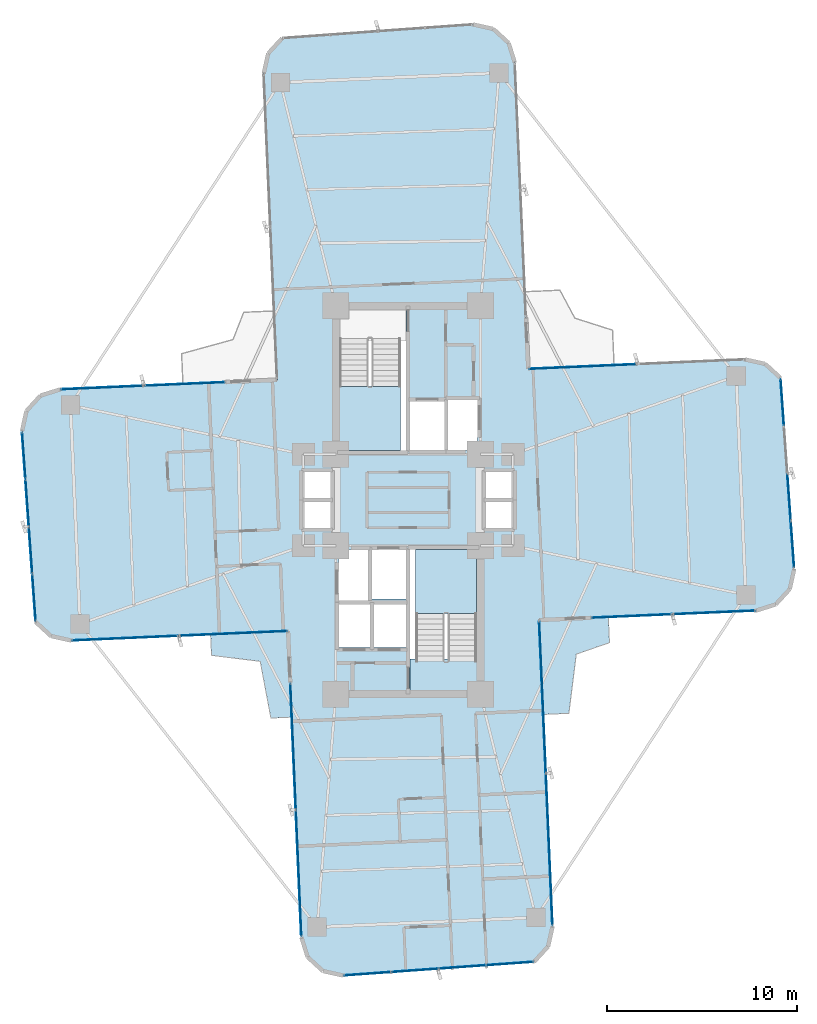
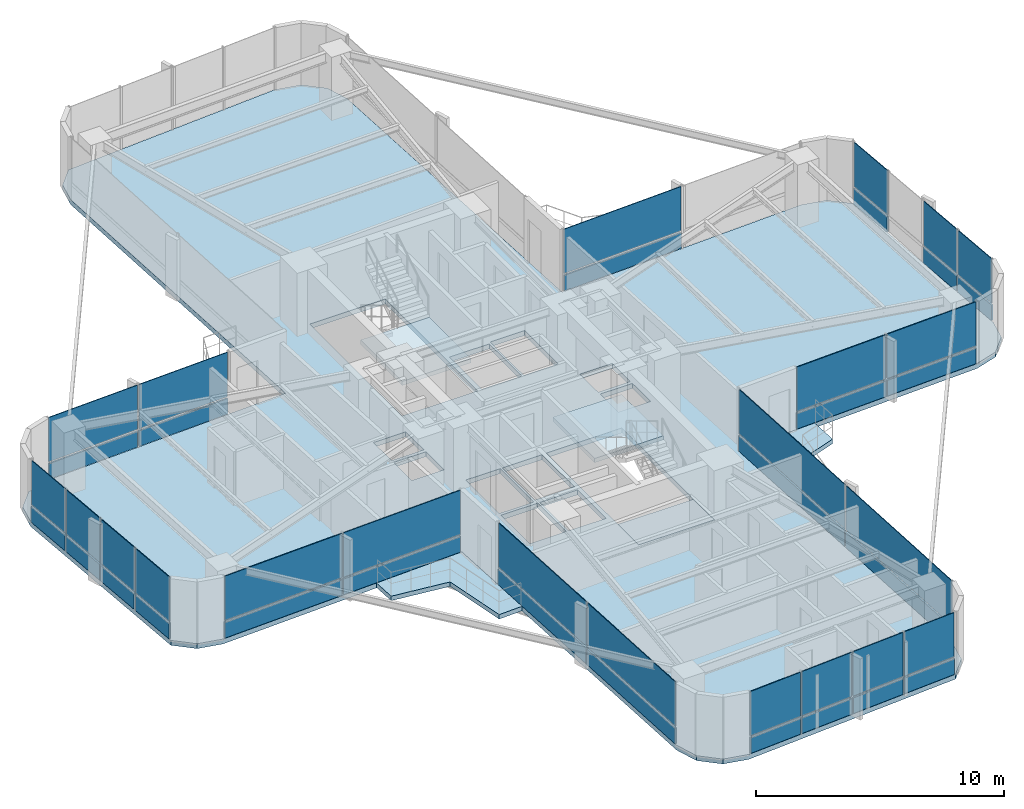
# One storey, part 21 of 26: 44 plates, 6 slabs, 11 elements without a shape of their own.
"""IFC4 building model written with IfcOpenShell, lengths in metres."""

from ifc_helpers import new_model, si_unit, direction, frame, origin, origin_2d, place, context, subcontext, project, spatial, polyline, rectangle, outline, extrude, source, transform, mapped, material, layer, layer_set, type_object, element, aggregate, save


model = new_model("IFC4")

# Units and contexts
model_context = context("Model", 3, precision=1e-05, world=origin(), true_north=direction((0.0, 1.0)))
body_context = subcontext(model_context, "Body", "Model", "MODEL_VIEW")
ifc_project = project(units=[si_unit("LENGTHUNIT", "METRE"), si_unit("AREAUNIT", "SQUARE_METRE"), si_unit("VOLUMEUNIT", "CUBIC_METRE"), si_unit("PLANEANGLEUNIT", "RADIAN"), si_unit("MASSUNIT", "GRAM", prefix="KILO")], contexts=[model_context])

# Site, building, storey
site_placement = place(None, origin())
site = spatial("IfcSite", under=ifc_project, at=site_placement, CompositionType="ELEMENT")
building_placement = place(site_placement, origin())
building = spatial("IfcBuilding", under=site, at=building_placement, Name="Sahyath Konkavel Grand Hotel", CompositionType="ELEMENT")
storey_placement = place(building_placement, frame((0.0, 0.0, 96.89990234375)))
storey = spatial("IfcBuildingStorey", under=building, at=storey_placement, Name="L26", CompositionType="ELEMENT", Elevation=96.89990234375)

# Slabs
ifc_material_1 = material(Name="Concrete C40/50", Category="concrete")
ifc_layer_1 = layer(ifc_material_1, 0.239990234375)
ifc_layer_set_1 = layer_set([ifc_layer_1], Name="Concrete C40/50")
slab_type_1 = type_object("IfcSlabType", Name="SLB-240", PredefinedType="FLOOR", material=ifc_layer_set_1)
slab_1_placement = place(storey_placement, frame((0.0, 0.0, -0.239990234375)))
element("IfcSlab", 1, at=slab_1_placement, inside=storey, type_object=slab_type_1, Name="L26 Structural Floor Slab", PredefinedType="FLOOR", context=body_context, shape_type="SweptSolid", body=[
    extrude(outline(polyline([(6.881591796875, -6.305908203125), (18.270751953125, -5.80859375), (19.3076171875, -5.481689453125), (20.0419921875, -4.68017578125), (20.277099609375, -3.618896484375), (19.5576171875, 6.4091796875), (18.75634765625, 7.1435546875), (17.695068359375, 7.37890625), (6.305908203125, 6.881591796875), (5.603515625, 22.96630859375), (5.276611328125, 24.0029296875), (4.47509765625, 24.7373046875), (3.4140625, 24.97265625), (-6.6142578125, 24.253173828125), (-7.3486328125, 23.451904296875), (-7.583984375, 22.390380859375), (-6.881591796875, 6.305908203125), (-18.270751953125, 5.80859375), (-19.3076171875, 5.481689453125), (-20.0419921875, 4.68017578125), (-20.277099609375, 3.618896484375), (-19.5576171875, -6.4091796875), (-18.75634765625, -7.1435546875), (-17.695068359375, -7.37890625), (-6.305908203125, -6.881591796875), (-5.603515625, -22.96630859375), (-5.276611328125, -24.0029296875), (-4.47509765625, -24.7373046875), (-3.4140625, -24.97265625), (6.6142578125, -24.253173828125), (7.3486328125, -23.451904296875), (7.583984375, -22.390380859375), (6.881591796875, -6.305908203125)]), holes=[polyline([(-3.6201171875, 2.580078125), (-0.10009765625, 2.580078125), (-0.10009765625, 10.02001953125), (-3.6201171875, 10.02001953125), (-3.6201171875, 2.580078125)]), polyline([(0.10009765625, -10.02001953125), (3.6201171875, -10.02001953125), (3.6201171875, -2.580078125), (0.10009765625, -2.580078125), (0.10009765625, -10.02001953125)]), polyline([(0.10009765625, 2.60009765625), (1.949951171875, 2.60009765625), (1.949951171875, 5.199951171875), (0.10009765625, 5.199951171875), (0.10009765625, 2.60009765625)]), polyline([(-1.949951171875, -5.199951171875), (-0.10009765625, -5.199951171875), (-0.10009765625, -2.60009765625), (-1.949951171875, -2.60009765625), (-1.949951171875, -5.199951171875)]), polyline([(2.050048828125, 2.60009765625), (3.64990234375, 2.60009765625), (3.64990234375, 5.300048828125), (2.050048828125, 5.300048828125), (2.050048828125, 2.60009765625)]), polyline([(-3.64990234375, -5.300048828125), (-2.050048828125, -5.300048828125), (-2.050048828125, -2.60009765625), (-3.64990234375, -2.60009765625), (-3.64990234375, -5.300048828125)]), polyline([(-3.64990234375, -7.75), (-1.949951171875, -7.75), (-1.949951171875, -5.449951171875), (-3.64990234375, -5.449951171875), (-3.64990234375, -7.75)]), polyline([(-1.85009765625, -7.75), (-0.10009765625, -7.75), (-0.10009765625, -5.449951171875), (-1.85009765625, -5.449951171875), (-1.85009765625, -7.75)]), polyline([(4.050048828125, 0.080078125), (5.550048828125, 0.080078125), (5.550048828125, 1.5400390625), (4.050048828125, 1.5400390625), (4.050048828125, 0.080078125)]), polyline([(4.050048828125, -1.5400390625), (5.550048828125, -1.5400390625), (5.550048828125, -0.080078125), (4.050048828125, -0.080078125), (4.050048828125, -1.5400390625)]), polyline([(-5.550048828125, 0.080078125), (-4.050048828125, 0.080078125), (-4.050048828125, 1.5400390625), (-5.550048828125, 1.5400390625), (-5.550048828125, 0.080078125)]), polyline([(-5.550048828125, -1.5400390625), (-4.050048828125, -1.5400390625), (-4.050048828125, -0.080078125), (-5.550048828125, -0.080078125), (-5.550048828125, -1.5400390625)])]), origin(), (0.0, 0.0, 1.0), 0.239990234375),
])
ifc_layer_2 = layer(ifc_material_1, 0.219970703125)
ifc_layer_set_2 = layer_set([ifc_layer_2], Name="Concrete C40/50")
slab_type_2 = type_object("IfcSlabType", Name="SLB-BALCONY-220", PredefinedType="FLOOR", material=ifc_layer_set_2)
slab_2_placement = place(storey_placement, frame((0.0, 0.0, -0.219970703125)))
element("IfcSlab", 2, at=slab_2_placement, inside=storey, type_object=slab_type_2, Name="L26 Winter-Garden Balcony SW", PredefinedType="FLOOR", context=body_context, shape_type="SweptSolid", body=[
    extrude(outline(polyline([(-6.305908203125, -6.881591796875), (-10.375, -7.059326171875), (-10.326904296875, -8.159912109375), (-7.767578125, -8.476806640625), (-7.208984375, -11.452392578125), (-6.1083984375, -11.404296875), (-6.305908203125, -6.881591796875)])), origin(), (0.0, 0.0, 1.0), 0.219970703125),
])
slab_3_placement = place(storey_placement, frame((0.0, 0.0, -0.219970703125)))
element("IfcSlab", 3, at=slab_3_placement, inside=storey, type_object=slab_type_2, Name="L26 Winter-Garden Balcony SE", PredefinedType="FLOOR", context=body_context, shape_type="SweptSolid", body=[
    extrude(outline(polyline([(6.881591796875, -6.305908203125), (7.097900390625, -11.26318359375), (8.444580078125, -11.204345703125), (8.83349609375, -8.094482421875), (10.574951171875, -7.49365234375), (10.51611328125, -6.147216796875), (6.881591796875, -6.305908203125)])), origin(), (0.0, 0.0, 1.0), 0.219970703125),
])

# Stair, slab
stair_type = type_object("IfcStairType", Name="STR-ST16-335", PredefinedType="HALF_TURN_STAIR", material=ifc_material_1)
stair_1_placement = place(storey_placement, origin())
stair_1 = element("IfcStair", 4, at=stair_1_placement, inside=storey, type_object=stair_type, Name="L26 North Core Smokeproof Exit Stair ST-1", PredefinedType="HALF_TURN_STAIR")
ifc_layer_3 = layer(ifc_material_1, 0.199951171875)
ifc_layer_set_3 = layer_set([ifc_layer_3], Name="Concrete C40/50")
slab_type_3 = type_object("IfcSlabType", Name="SLB-STAIR-LND", PredefinedType="LANDING", material=ifc_layer_set_3)
slab_4_placement = place(storey_placement, frame((0.0, 0.0, 1.47509765625)))
slab_4 = element("IfcSlab", 5, at=slab_4_placement, type_object=slab_type_3, Name="ST-1 landing 1", PredefinedType="LANDING", context=body_context, shape_type="SweptSolid", body=[
    extrude(outline(polyline([(-3.60009765625, 5.9599609375), (-3.60009765625, 2.60009765625), (-0.39990234375, 2.60009765625), (-0.39990234375, 5.9599609375), (-3.60009765625, 5.9599609375)])), origin(), (0.0, 0.0, 1.0), 0.199951171875),
])
aggregate(stair_1, [slab_4])

stair_2_placement = place(storey_placement, origin())
stair_2 = element("IfcStair", 6, at=stair_2_placement, inside=storey, type_object=stair_type, Name="L26 South Core Smokeproof Exit Stair ST-2", PredefinedType="HALF_TURN_STAIR")
slab_5_placement = place(storey_placement, frame((0.0, 0.0, 1.47509765625)))
slab_5 = element("IfcSlab", 7, at=slab_5_placement, type_object=slab_type_3, Name="ST-2 landing 1", PredefinedType="LANDING", context=body_context, shape_type="SweptSolid", body=[
    extrude(outline(polyline([(3.60009765625, -5.9599609375), (3.60009765625, -2.60009765625), (0.39990234375, -2.60009765625), (0.39990234375, -5.9599609375), (3.60009765625, -5.9599609375)])), origin(), (0.0, 0.0, 1.0), 0.199951171875),
])
aggregate(stair_2, [slab_5])

# Slab
slab_6_placement = place(storey_placement, frame((0.0, 0.0, -0.199951171875)))
element("IfcSlab", 8, at=slab_6_placement, inside=storey, type_object=slab_type_3, Name="L26 Stair ST-2 Floor Landing Slab", PredefinedType="LANDING", context=body_context, shape_type="SweptSolid", body=[
    extrude(outline(polyline([(0.10009765625, -10.02001953125), (3.6201171875, -10.02001953125), (3.6201171875, -8.35009765625), (0.10009765625, -8.35009765625), (0.10009765625, -10.02001953125)])), origin(), (0.0, 0.0, 1.0), 0.199951171875),
])

# Curtain wall, plates
ifc_material_2 = material(Name="Anodised Bronze Aluminium & Low-E Glazing", Category="aluminium")
curtain_wall_type = type_object("IfcCurtainWallType", Name="CW-ZONE2", PredefinedType="NOTDEFINED", material=ifc_material_2)
curtain_wall_1_placement = place(storey_placement, origin())
curtain_wall_1 = element("IfcCurtainWall", 9, at=curtain_wall_1_placement, inside=storey, type_object=curtain_wall_type, Name="L26 Unitised Curtain Wall F0", PredefinedType="NOTDEFINED")
ifc_material_3 = material(Name="Warm Buff Sandstone Cladding", Category="masonry")
ifc_layer_4 = layer(ifc_material_3, 0.074951171875)
ifc_layer_set_4 = layer_set([ifc_layer_4], Name="Warm Buff Sandstone Cladding")
plate_type_1 = type_object("IfcPlateType", Name="PNL-SPANDREL-STONE", PredefinedType="SHEET", material=ifc_layer_set_4)
shared_shape_1 = source(origin(), body_context, "Body", "SweptSolid", [
    extrude(rectangle(XDim=4.22998046875, YDim=0.074951171875, at=origin_2d()), origin(), (0.0, 0.0, 1.0), 0.77001953125),
])
plate_1_placement = place(storey_placement, frame((11.77197265625, -6.09228515625, 0.0400390625), z_axis=(0.0, 0.0, 1.0), x_axis=(0.999048982732, 0.043601950678, 0.0)))
plate_1 = element("IfcPlate", 10, at=plate_1_placement, type_object=plate_type_1, Name="L26 Sandstone Relief Spandrel Panel F0-0", PredefinedType="SHEET", context=body_context, shape_type="MappedRepresentation", body=[
    mapped(shared_shape_1, transform((0.0, 0.0, 0.0), scale=1.0)),
])
plate_2_placement = place(storey_placement, frame((16.077880859375, -5.904296875, 0.0400390625), z_axis=(0.0, 0.0, 1.0), x_axis=(0.999048982732, 0.043601950678, 0.0)))
plate_2 = element("IfcPlate", 11, at=plate_2_placement, type_object=plate_type_1, Name="L26 Sandstone Relief Spandrel Panel F0-1", PredefinedType="SHEET", context=body_context, shape_type="MappedRepresentation", body=[
    mapped(shared_shape_1, transform((0.0, 0.0, 0.0), scale=1.0)),
])

curtain_wall_2_placement = place(storey_placement, origin())
curtain_wall_2 = element("IfcCurtainWall", 12, at=curtain_wall_2_placement, inside=storey, type_object=curtain_wall_type, Name="L26 Unitised Curtain Wall F16", PredefinedType="NOTDEFINED")
plate_3_placement = place(storey_placement, frame((-11.77197265625, 6.09228515625, 0.0400390625), z_axis=(0.0, 0.0, 1.0), x_axis=(-0.999048982732, -0.043601950678, 0.0)))
plate_3 = element("IfcPlate", 13, at=plate_3_placement, type_object=plate_type_1, Name="L26 Sandstone Relief Spandrel Panel F16-0", PredefinedType="SHEET", context=body_context, shape_type="MappedRepresentation", body=[
    mapped(shared_shape_1, transform((0.0, 0.0, 0.0), scale=1.0)),
])
plate_4_placement = place(storey_placement, frame((-16.077880859375, 5.904296875, 0.0400390625), z_axis=(0.0, 0.0, 1.0), x_axis=(-0.999048982732, -0.043601950678, 0.0)))
plate_4 = element("IfcPlate", 14, at=plate_4_placement, type_object=plate_type_1, Name="L26 Sandstone Relief Spandrel Panel F16-1", PredefinedType="SHEET", context=body_context, shape_type="MappedRepresentation", body=[
    mapped(shared_shape_1, transform((0.0, 0.0, 0.0), scale=1.0)),
])

curtain_wall_3_placement = place(storey_placement, origin())
curtain_wall_3 = element("IfcCurtainWall", 15, at=curtain_wall_3_placement, inside=storey, type_object=curtain_wall_type, Name="L26 Unitised Curtain Wall F4", PredefinedType="NOTDEFINED")
shared_shape_2 = source(origin(), body_context, "Body", "SweptSolid", [
    extrude(rectangle(XDim=2.41357421875, YDim=0.074951171875, at=origin_2d()), origin(), (0.0, 0.0, 1.0), 0.77001953125),
])
plate_5_placement = place(storey_placement, frame((20.18505859375, -2.335693359375, 0.0400390625), z_axis=(0.0, 0.0, 1.0), x_axis=(-0.071567078661, 0.997435789037, 0.0)))
plate_5 = element("IfcPlate", 16, at=plate_5_placement, type_object=plate_type_1, Name="L26 Sandstone Relief Spandrel Panel F4-0", PredefinedType="SHEET", context=body_context, shape_type="MappedRepresentation", body=[
    mapped(shared_shape_2, transform((0.0, 0.0, 0.0), scale=1.0)),
])
plate_6_placement = place(storey_placement, frame((20.006591796875, 0.151611328125, 0.0400390625), z_axis=(0.0, 0.0, 1.0), x_axis=(-0.071567078661, 0.997435789037, 0.0)))
plate_6 = element("IfcPlate", 17, at=plate_6_placement, type_object=plate_type_1, Name="L26 Sandstone Relief Spandrel Panel F4-1", PredefinedType="SHEET", context=body_context, shape_type="MappedRepresentation", body=[
    mapped(shared_shape_2, transform((0.0, 0.0, 0.0), scale=1.0)),
])
plate_7_placement = place(storey_placement, frame((19.64990234375, 5.125732421875, 0.0400390625), z_axis=(0.0, 0.0, 1.0), x_axis=(-0.071567078661, 0.997435789037, 0.0)))
plate_7 = element("IfcPlate", 18, at=plate_7_placement, type_object=plate_type_1, Name="L26 Sandstone Relief Spandrel Panel F4-3", PredefinedType="SHEET", context=body_context, shape_type="MappedRepresentation", body=[
    mapped(shared_shape_2, transform((0.0, 0.0, 0.0), scale=1.0)),
])

curtain_wall_4_placement = place(storey_placement, origin())
curtain_wall_4 = element("IfcCurtainWall", 19, at=curtain_wall_4_placement, inside=storey, type_object=curtain_wall_type, Name="L26 Unitised Curtain Wall F20", PredefinedType="NOTDEFINED")
plate_8_placement = place(storey_placement, frame((-20.18505859375, 2.335693359375, 0.0400390625), z_axis=(0.0, 0.0, 1.0), x_axis=(0.071567078661, -0.997435789037, 0.0)))
plate_8 = element("IfcPlate", 20, at=plate_8_placement, type_object=plate_type_1, Name="L26 Sandstone Relief Spandrel Panel F20-0", PredefinedType="SHEET", context=body_context, shape_type="MappedRepresentation", body=[
    mapped(shared_shape_2, transform((0.0, 0.0, 0.0), scale=1.0)),
])
plate_9_placement = place(storey_placement, frame((-20.006591796875, -0.151611328125, 0.0400390625), z_axis=(0.0, 0.0, 1.0), x_axis=(0.071567078661, -0.997435789037, 0.0)))
plate_9 = element("IfcPlate", 21, at=plate_9_placement, type_object=plate_type_1, Name="L26 Sandstone Relief Spandrel Panel F20-1", PredefinedType="SHEET", context=body_context, shape_type="MappedRepresentation", body=[
    mapped(shared_shape_2, transform((0.0, 0.0, 0.0), scale=1.0)),
])
plate_10_placement = place(storey_placement, frame((-19.828369140625, -2.638671875, 0.0400390625), z_axis=(0.0, 0.0, 1.0), x_axis=(0.071567078661, -0.997435789037, 0.0)))
plate_10 = element("IfcPlate", 22, at=plate_10_placement, type_object=plate_type_1, Name="L26 Sandstone Relief Spandrel Panel F20-2", PredefinedType="SHEET", context=body_context, shape_type="MappedRepresentation", body=[
    mapped(shared_shape_2, transform((0.0, 0.0, 0.0), scale=1.0)),
])
plate_11_placement = place(storey_placement, frame((-19.64990234375, -5.125732421875, 0.0400390625), z_axis=(0.0, 0.0, 1.0), x_axis=(0.071567078661, -0.997435789037, 0.0)))
plate_11 = element("IfcPlate", 23, at=plate_11_placement, type_object=plate_type_1, Name="L26 Sandstone Relief Spandrel Panel F20-3", PredefinedType="SHEET", context=body_context, shape_type="MappedRepresentation", body=[
    mapped(shared_shape_2, transform((0.0, 0.0, 0.0), scale=1.0)),
])

curtain_wall_5_placement = place(storey_placement, origin())
curtain_wall_5 = element("IfcCurtainWall", 24, at=curtain_wall_5_placement, inside=storey, type_object=curtain_wall_type, Name="L26 Unitised Curtain Wall F28", PredefinedType="NOTDEFINED")
plate_12_placement = place(storey_placement, frame((-2.130615234375, -24.880615234375, 0.0400390625), z_axis=(0.0, 0.0, 1.0), x_axis=(0.997435789037, 0.071567078661, 0.0)))
plate_12 = element("IfcPlate", 25, at=plate_12_placement, type_object=plate_type_1, Name="L26 Sandstone Relief Spandrel Panel F28-0", PredefinedType="SHEET", context=body_context, shape_type="MappedRepresentation", body=[
    mapped(shared_shape_2, transform((0.0, 0.0, 0.0), scale=1.0)),
])
plate_13_placement = place(storey_placement, frame((0.356689453125, -24.7021484375, 0.0400390625), z_axis=(0.0, 0.0, 1.0), x_axis=(0.997435789037, 0.071567078661, 0.0)))
plate_13 = element("IfcPlate", 26, at=plate_13_placement, type_object=plate_type_1, Name="L26 Sandstone Relief Spandrel Panel F28-1", PredefinedType="SHEET", context=body_context, shape_type="MappedRepresentation", body=[
    mapped(shared_shape_2, transform((0.0, 0.0, 0.0), scale=1.0)),
])
plate_14_placement = place(storey_placement, frame((2.84375, -24.523681640625, 0.0400390625), z_axis=(0.0, 0.0, 1.0), x_axis=(0.997435789037, 0.071567078661, 0.0)))
plate_14 = element("IfcPlate", 27, at=plate_14_placement, type_object=plate_type_1, Name="L26 Sandstone Relief Spandrel Panel F28-2", PredefinedType="SHEET", context=body_context, shape_type="MappedRepresentation", body=[
    mapped(shared_shape_2, transform((0.0, 0.0, 0.0), scale=1.0)),
])
plate_15_placement = place(storey_placement, frame((5.330810546875, -24.34521484375, 0.0400390625), z_axis=(0.0, 0.0, 1.0), x_axis=(0.997435789037, 0.071567078661, 0.0)))
plate_15 = element("IfcPlate", 28, at=plate_15_placement, type_object=plate_type_1, Name="L26 Sandstone Relief Spandrel Panel F28-3", PredefinedType="SHEET", context=body_context, shape_type="MappedRepresentation", body=[
    mapped(shared_shape_2, transform((0.0, 0.0, 0.0), scale=1.0)),
])

# Curtain wall, plate
curtain_wall_6_placement = place(storey_placement, origin())
curtain_wall_6 = element("IfcCurtainWall", 29, at=curtain_wall_6_placement, inside=storey, type_object=curtain_wall_type, Name="L26 Unitised Curtain Wall F7", PredefinedType="NOTDEFINED")
shared_shape_3 = source(origin(), body_context, "Body", "SweptSolid", [
    extrude(rectangle(XDim=5.580078125, YDim=0.074951171875, at=origin_2d()), origin(), (0.0, 0.0, 1.0), 0.77001953125),
])
plate_16_placement = place(storey_placement, frame((9.173095703125, 7.0068359375, 0.0400390625), z_axis=(0.0, 0.0, 1.0), x_axis=(-0.999048221582, -0.043619387365, 0.0)))
plate_16 = element("IfcPlate", 30, at=plate_16_placement, type_object=plate_type_1, Name="L26 Sandstone Relief Spandrel Panel F7-1", PredefinedType="SHEET", context=body_context, shape_type="MappedRepresentation", body=[
    mapped(shared_shape_3, transform((0.0, 0.0, 0.0), scale=1.0)),
])

# Curtain wall, plates
curtain_wall_7_placement = place(storey_placement, origin())
curtain_wall_7 = element("IfcCurtainWall", 31, at=curtain_wall_7_placement, inside=storey, type_object=curtain_wall_type, Name="L26 Unitised Curtain Wall F23", PredefinedType="NOTDEFINED")
plate_17_placement = place(storey_placement, frame((-14.82763671875, -7.25390625, 0.0400390625), z_axis=(0.0, 0.0, 1.0), x_axis=(0.999048221582, 0.043619387365, 0.0)))
plate_17 = element("IfcPlate", 32, at=plate_17_placement, type_object=plate_type_1, Name="L26 Sandstone Relief Spandrel Panel F23-0", PredefinedType="SHEET", context=body_context, shape_type="MappedRepresentation", body=[
    mapped(shared_shape_3, transform((0.0, 0.0, 0.0), scale=1.0)),
])
plate_18_placement = place(storey_placement, frame((-9.173095703125, -7.0068359375, 0.0400390625), z_axis=(0.0, 0.0, 1.0), x_axis=(0.999048221582, 0.043619387365, 0.0)))
plate_18 = element("IfcPlate", 33, at=plate_18_placement, type_object=plate_type_1, Name="L26 Sandstone Relief Spandrel Panel F23-1", PredefinedType="SHEET", context=body_context, shape_type="MappedRepresentation", body=[
    mapped(shared_shape_3, transform((0.0, 0.0, 0.0), scale=1.0)),
])

curtain_wall_8_placement = place(storey_placement, origin())
curtain_wall_8 = element("IfcCurtainWall", 34, at=curtain_wall_8_placement, inside=storey, type_object=curtain_wall_type, Name="L26 Unitised Curtain Wall F24", PredefinedType="NOTDEFINED")
shared_shape_4 = source(origin(), body_context, "Body", "SweptSolid", [
    extrude(rectangle(XDim=6.580078125, YDim=0.074951171875, at=origin_2d()), origin(), (0.0, 0.0, 1.0), 0.77001953125),
])
plate_19_placement = place(storey_placement, frame((-6.041015625, -12.94580078125, 0.0400390625), z_axis=(0.0, 0.0, 1.0), x_axis=(0.043619387365, -0.999048221582, 0.0)))
plate_19 = element("IfcPlate", 35, at=plate_19_placement, type_object=plate_type_1, Name="L26 Sandstone Relief Spandrel Panel F24-0", PredefinedType="SHEET", context=body_context, shape_type="MappedRepresentation", body=[
    mapped(shared_shape_4, transform((0.0, 0.0, 0.0), scale=1.0)),
])
plate_20_placement = place(storey_placement, frame((-5.75048828125, -19.599609375, 0.0400390625), z_axis=(0.0, 0.0, 1.0), x_axis=(0.043619387365, -0.999048221582, 0.0)))
plate_20 = element("IfcPlate", 36, at=plate_20_placement, type_object=plate_type_1, Name="L26 Sandstone Relief Spandrel Panel F24-1", PredefinedType="SHEET", context=body_context, shape_type="MappedRepresentation", body=[
    mapped(shared_shape_4, transform((0.0, 0.0, 0.0), scale=1.0)),
])

curtain_wall_9_placement = place(storey_placement, origin())
curtain_wall_9 = element("IfcCurtainWall", 37, at=curtain_wall_9_placement, inside=storey, type_object=curtain_wall_type, Name="L26 Unitised Curtain Wall F31", PredefinedType="NOTDEFINED")
shared_shape_5 = source(origin(), body_context, "Body", "SweptSolid", [
    extrude(rectangle(XDim=7.929931640625, YDim=0.074951171875, at=origin_2d()), origin(), (0.0, 0.0, 1.0), 0.77001953125),
])
plate_21_placement = place(storey_placement, frame((7.407470703125, -18.349365234375, 0.0400390625), z_axis=(0.0, 0.0, 1.0), x_axis=(-0.043619387365, 0.999048221582, 0.0)))
plate_21 = element("IfcPlate", 38, at=plate_21_placement, type_object=plate_type_1, Name="L26 Sandstone Relief Spandrel Panel F31-0", PredefinedType="SHEET", context=body_context, shape_type="MappedRepresentation", body=[
    mapped(shared_shape_5, transform((0.0, 0.0, 0.0), scale=1.0)),
])
plate_22_placement = place(storey_placement, frame((7.05810546875, -10.346923828125, 0.0400390625), z_axis=(0.0, 0.0, 1.0), x_axis=(-0.043619387365, 0.999048221582, 0.0)))
plate_22 = element("IfcPlate", 39, at=plate_22_placement, type_object=plate_type_1, Name="L26 Sandstone Relief Spandrel Panel F31-1", PredefinedType="SHEET", context=body_context, shape_type="MappedRepresentation", body=[
    mapped(shared_shape_5, transform((0.0, 0.0, 0.0), scale=1.0)),
])

# Plate
ifc_material_4 = material(Name="Low-E Solar Control Double Glazing", Category="glass")
ifc_layer_5 = layer(ifc_material_4, 0.035888671875)
ifc_layer_set_5 = layer_set([ifc_layer_5], Name="Low-E Solar Control Double Glazing")
plate_type_2 = type_object("IfcPlateType", Name="PNL-VISION-LOWE", PredefinedType="CURTAIN_PANEL", material=ifc_layer_set_5)
shared_shape_6 = source(origin(), body_context, "Body", "SweptSolid", [
    extrude(rectangle(XDim=4.22998046875, YDim=0.035888671875, at=origin_2d()), origin(), (0.0, 0.0, 1.0), 2.179931640625),
])
plate_23_placement = place(storey_placement, frame((11.77197265625, -6.09228515625, 0.89013671875), z_axis=(0.0, 0.0, 1.0), x_axis=(0.999048982732, 0.043601950678, 0.0)))
plate_23 = element("IfcPlate", 40, at=plate_23_placement, type_object=plate_type_2, Name="L26 Low-E Vision Glazing Panel F0-0", PredefinedType="CURTAIN_PANEL", context=body_context, shape_type="MappedRepresentation", body=[
    mapped(shared_shape_6, transform((0.0, 0.0, 0.0), scale=1.0)),
])

plate_24_placement = place(storey_placement, frame((16.077880859375, -5.904296875, 0.89013671875), z_axis=(0.0, 0.0, 1.0), x_axis=(0.999048982732, 0.043601950678, 0.0)))
plate_24 = element("IfcPlate", 41, at=plate_24_placement, type_object=plate_type_2, Name="L26 Low-E Vision Glazing Panel F0-1", PredefinedType="CURTAIN_PANEL", context=body_context, shape_type="MappedRepresentation", body=[
    mapped(shared_shape_6, transform((0.0, 0.0, 0.0), scale=1.0)),
])

aggregate(curtain_wall_1, [plate_1, plate_23, plate_2, plate_24])

plate_25_placement = place(storey_placement, frame((-11.77197265625, 6.09228515625, 0.89013671875), z_axis=(0.0, 0.0, 1.0), x_axis=(-0.999048982732, -0.043601950678, 0.0)))
plate_25 = element("IfcPlate", 42, at=plate_25_placement, type_object=plate_type_2, Name="L26 Low-E Vision Glazing Panel F16-0", PredefinedType="CURTAIN_PANEL", context=body_context, shape_type="MappedRepresentation", body=[
    mapped(shared_shape_6, transform((0.0, 0.0, 0.0), scale=1.0)),
])

plate_26_placement = place(storey_placement, frame((-16.077880859375, 5.904296875, 0.89013671875), z_axis=(0.0, 0.0, 1.0), x_axis=(-0.999048982732, -0.043601950678, 0.0)))
plate_26 = element("IfcPlate", 43, at=plate_26_placement, type_object=plate_type_2, Name="L26 Low-E Vision Glazing Panel F16-1", PredefinedType="CURTAIN_PANEL", context=body_context, shape_type="MappedRepresentation", body=[
    mapped(shared_shape_6, transform((0.0, 0.0, 0.0), scale=1.0)),
])

aggregate(curtain_wall_2, [plate_3, plate_25, plate_4, plate_26])

shared_shape_7 = source(origin(), body_context, "Body", "SweptSolid", [
    extrude(rectangle(XDim=2.41357421875, YDim=0.035888671875, at=origin_2d()), origin(), (0.0, 0.0, 1.0), 2.179931640625),
])
plate_27_placement = place(storey_placement, frame((20.18505859375, -2.335693359375, 0.89013671875), z_axis=(0.0, 0.0, 1.0), x_axis=(-0.071567078661, 0.997435789037, 0.0)))
plate_27 = element("IfcPlate", 44, at=plate_27_placement, type_object=plate_type_2, Name="L26 Low-E Vision Glazing Panel F4-0", PredefinedType="CURTAIN_PANEL", context=body_context, shape_type="MappedRepresentation", body=[
    mapped(shared_shape_7, transform((0.0, 0.0, 0.0), scale=1.0)),
])

plate_28_placement = place(storey_placement, frame((20.006591796875, 0.151611328125, 0.89013671875), z_axis=(0.0, 0.0, 1.0), x_axis=(-0.071567078661, 0.997435789037, 0.0)))
plate_28 = element("IfcPlate", 45, at=plate_28_placement, type_object=plate_type_2, Name="L26 Low-E Vision Glazing Panel F4-1", PredefinedType="CURTAIN_PANEL", context=body_context, shape_type="MappedRepresentation", body=[
    mapped(shared_shape_7, transform((0.0, 0.0, 0.0), scale=1.0)),
])

plate_29_placement = place(storey_placement, frame((19.64990234375, 5.125732421875, 0.89013671875), z_axis=(0.0, 0.0, 1.0), x_axis=(-0.071567078661, 0.997435789037, 0.0)))
plate_29 = element("IfcPlate", 46, at=plate_29_placement, type_object=plate_type_2, Name="L26 Low-E Vision Glazing Panel F4-3", PredefinedType="CURTAIN_PANEL", context=body_context, shape_type="MappedRepresentation", body=[
    mapped(shared_shape_7, transform((0.0, 0.0, 0.0), scale=1.0)),
])

aggregate(curtain_wall_3, [plate_5, plate_27, plate_6, plate_28, plate_7, plate_29])

plate_30_placement = place(storey_placement, frame((-20.18505859375, 2.335693359375, 0.89013671875), z_axis=(0.0, 0.0, 1.0), x_axis=(0.071567078661, -0.997435789037, 0.0)))
plate_30 = element("IfcPlate", 47, at=plate_30_placement, type_object=plate_type_2, Name="L26 Low-E Vision Glazing Panel F20-0", PredefinedType="CURTAIN_PANEL", context=body_context, shape_type="MappedRepresentation", body=[
    mapped(shared_shape_7, transform((0.0, 0.0, 0.0), scale=1.0)),
])

plate_31_placement = place(storey_placement, frame((-20.006591796875, -0.151611328125, 0.89013671875), z_axis=(0.0, 0.0, 1.0), x_axis=(0.071567078661, -0.997435789037, 0.0)))
plate_31 = element("IfcPlate", 48, at=plate_31_placement, type_object=plate_type_2, Name="L26 Low-E Vision Glazing Panel F20-1", PredefinedType="CURTAIN_PANEL", context=body_context, shape_type="MappedRepresentation", body=[
    mapped(shared_shape_7, transform((0.0, 0.0, 0.0), scale=1.0)),
])

plate_32_placement = place(storey_placement, frame((-19.828369140625, -2.638671875, 0.89013671875), z_axis=(0.0, 0.0, 1.0), x_axis=(0.071567078661, -0.997435789037, 0.0)))
plate_32 = element("IfcPlate", 49, at=plate_32_placement, type_object=plate_type_2, Name="L26 Low-E Vision Glazing Panel F20-2", PredefinedType="CURTAIN_PANEL", context=body_context, shape_type="MappedRepresentation", body=[
    mapped(shared_shape_7, transform((0.0, 0.0, 0.0), scale=1.0)),
])

plate_33_placement = place(storey_placement, frame((-19.64990234375, -5.125732421875, 0.89013671875), z_axis=(0.0, 0.0, 1.0), x_axis=(0.071567078661, -0.997435789037, 0.0)))
plate_33 = element("IfcPlate", 50, at=plate_33_placement, type_object=plate_type_2, Name="L26 Low-E Vision Glazing Panel F20-3", PredefinedType="CURTAIN_PANEL", context=body_context, shape_type="MappedRepresentation", body=[
    mapped(shared_shape_7, transform((0.0, 0.0, 0.0), scale=1.0)),
])

aggregate(curtain_wall_4, [plate_8, plate_30, plate_9, plate_31, plate_10, plate_32, plate_11, plate_33])

plate_34_placement = place(storey_placement, frame((-2.130615234375, -24.880615234375, 0.89013671875), z_axis=(0.0, 0.0, 1.0), x_axis=(0.997435789037, 0.071567078661, 0.0)))
plate_34 = element("IfcPlate", 51, at=plate_34_placement, type_object=plate_type_2, Name="L26 Low-E Vision Glazing Panel F28-0", PredefinedType="CURTAIN_PANEL", context=body_context, shape_type="MappedRepresentation", body=[
    mapped(shared_shape_7, transform((0.0, 0.0, 0.0), scale=1.0)),
])

plate_35_placement = place(storey_placement, frame((0.356689453125, -24.7021484375, 0.89013671875), z_axis=(0.0, 0.0, 1.0), x_axis=(0.997435789037, 0.071567078661, 0.0)))
plate_35 = element("IfcPlate", 52, at=plate_35_placement, type_object=plate_type_2, Name="L26 Low-E Vision Glazing Panel F28-1", PredefinedType="CURTAIN_PANEL", context=body_context, shape_type="MappedRepresentation", body=[
    mapped(shared_shape_7, transform((0.0, 0.0, 0.0), scale=1.0)),
])

plate_36_placement = place(storey_placement, frame((2.84375, -24.523681640625, 0.89013671875), z_axis=(0.0, 0.0, 1.0), x_axis=(0.997435789037, 0.071567078661, 0.0)))
plate_36 = element("IfcPlate", 53, at=plate_36_placement, type_object=plate_type_2, Name="L26 Low-E Vision Glazing Panel F28-2", PredefinedType="CURTAIN_PANEL", context=body_context, shape_type="MappedRepresentation", body=[
    mapped(shared_shape_7, transform((0.0, 0.0, 0.0), scale=1.0)),
])

plate_37_placement = place(storey_placement, frame((5.330810546875, -24.34521484375, 0.89013671875), z_axis=(0.0, 0.0, 1.0), x_axis=(0.997435789037, 0.071567078661, 0.0)))
plate_37 = element("IfcPlate", 54, at=plate_37_placement, type_object=plate_type_2, Name="L26 Low-E Vision Glazing Panel F28-3", PredefinedType="CURTAIN_PANEL", context=body_context, shape_type="MappedRepresentation", body=[
    mapped(shared_shape_7, transform((0.0, 0.0, 0.0), scale=1.0)),
])

aggregate(curtain_wall_5, [plate_12, plate_34, plate_13, plate_35, plate_14, plate_36, plate_15, plate_37])

shared_shape_8 = source(origin(), body_context, "Body", "SweptSolid", [
    extrude(rectangle(XDim=5.580078125, YDim=0.035888671875, at=origin_2d()), origin(), (0.0, 0.0, 1.0), 2.179931640625),
])
plate_38_placement = place(storey_placement, frame((9.173095703125, 7.0068359375, 0.89013671875), z_axis=(0.0, 0.0, 1.0), x_axis=(-0.999048221582, -0.043619387365, 0.0)))
plate_38 = element("IfcPlate", 55, at=plate_38_placement, type_object=plate_type_2, Name="L26 Low-E Vision Glazing Panel F7-1", PredefinedType="CURTAIN_PANEL", context=body_context, shape_type="MappedRepresentation", body=[
    mapped(shared_shape_8, transform((0.0, 0.0, 0.0), scale=1.0)),
])

aggregate(curtain_wall_6, [plate_16, plate_38])

plate_39_placement = place(storey_placement, frame((-14.82763671875, -7.25390625, 0.89013671875), z_axis=(0.0, 0.0, 1.0), x_axis=(0.999048221582, 0.043619387365, 0.0)))
plate_39 = element("IfcPlate", 56, at=plate_39_placement, type_object=plate_type_2, Name="L26 Low-E Vision Glazing Panel F23-0", PredefinedType="CURTAIN_PANEL", context=body_context, shape_type="MappedRepresentation", body=[
    mapped(shared_shape_8, transform((0.0, 0.0, 0.0), scale=1.0)),
])

plate_40_placement = place(storey_placement, frame((-9.173095703125, -7.0068359375, 0.89013671875), z_axis=(0.0, 0.0, 1.0), x_axis=(0.999048221582, 0.043619387365, 0.0)))
plate_40 = element("IfcPlate", 57, at=plate_40_placement, type_object=plate_type_2, Name="L26 Low-E Vision Glazing Panel F23-1", PredefinedType="CURTAIN_PANEL", context=body_context, shape_type="MappedRepresentation", body=[
    mapped(shared_shape_8, transform((0.0, 0.0, 0.0), scale=1.0)),
])

aggregate(curtain_wall_7, [plate_17, plate_39, plate_18, plate_40])

shared_shape_9 = source(origin(), body_context, "Body", "SweptSolid", [
    extrude(rectangle(XDim=6.580078125, YDim=0.035888671875, at=origin_2d()), origin(), (0.0, 0.0, 1.0), 2.179931640625),
])
plate_41_placement = place(storey_placement, frame((-6.041015625, -12.94580078125, 0.89013671875), z_axis=(0.0, 0.0, 1.0), x_axis=(0.043619387365, -0.999048221582, 0.0)))
plate_41 = element("IfcPlate", 58, at=plate_41_placement, type_object=plate_type_2, Name="L26 Low-E Vision Glazing Panel F24-0", PredefinedType="CURTAIN_PANEL", context=body_context, shape_type="MappedRepresentation", body=[
    mapped(shared_shape_9, transform((0.0, 0.0, 0.0), scale=1.0)),
])

plate_42_placement = place(storey_placement, frame((-5.75048828125, -19.599609375, 0.89013671875), z_axis=(0.0, 0.0, 1.0), x_axis=(0.043619387365, -0.999048221582, 0.0)))
plate_42 = element("IfcPlate", 59, at=plate_42_placement, type_object=plate_type_2, Name="L26 Low-E Vision Glazing Panel F24-1", PredefinedType="CURTAIN_PANEL", context=body_context, shape_type="MappedRepresentation", body=[
    mapped(shared_shape_9, transform((0.0, 0.0, 0.0), scale=1.0)),
])

aggregate(curtain_wall_8, [plate_19, plate_41, plate_20, plate_42])

shared_shape_10 = source(origin(), body_context, "Body", "SweptSolid", [
    extrude(rectangle(XDim=7.929931640625, YDim=0.035888671875, at=origin_2d()), origin(), (0.0, 0.0, 1.0), 2.179931640625),
])
plate_43_placement = place(storey_placement, frame((7.407470703125, -18.349365234375, 0.89013671875), z_axis=(0.0, 0.0, 1.0), x_axis=(-0.043619387365, 0.999048221582, 0.0)))
plate_43 = element("IfcPlate", 60, at=plate_43_placement, type_object=plate_type_2, Name="L26 Low-E Vision Glazing Panel F31-0", PredefinedType="CURTAIN_PANEL", context=body_context, shape_type="MappedRepresentation", body=[
    mapped(shared_shape_10, transform((0.0, 0.0, 0.0), scale=1.0)),
])

plate_44_placement = place(storey_placement, frame((7.05810546875, -10.346923828125, 0.89013671875), z_axis=(0.0, 0.0, 1.0), x_axis=(-0.043619387365, 0.999048221582, 0.0)))
plate_44 = element("IfcPlate", 61, at=plate_44_placement, type_object=plate_type_2, Name="L26 Low-E Vision Glazing Panel F31-1", PredefinedType="CURTAIN_PANEL", context=body_context, shape_type="MappedRepresentation", body=[
    mapped(shared_shape_10, transform((0.0, 0.0, 0.0), scale=1.0)),
])

aggregate(curtain_wall_9, [plate_21, plate_43, plate_22, plate_44])

save(model, "model.ifc")
